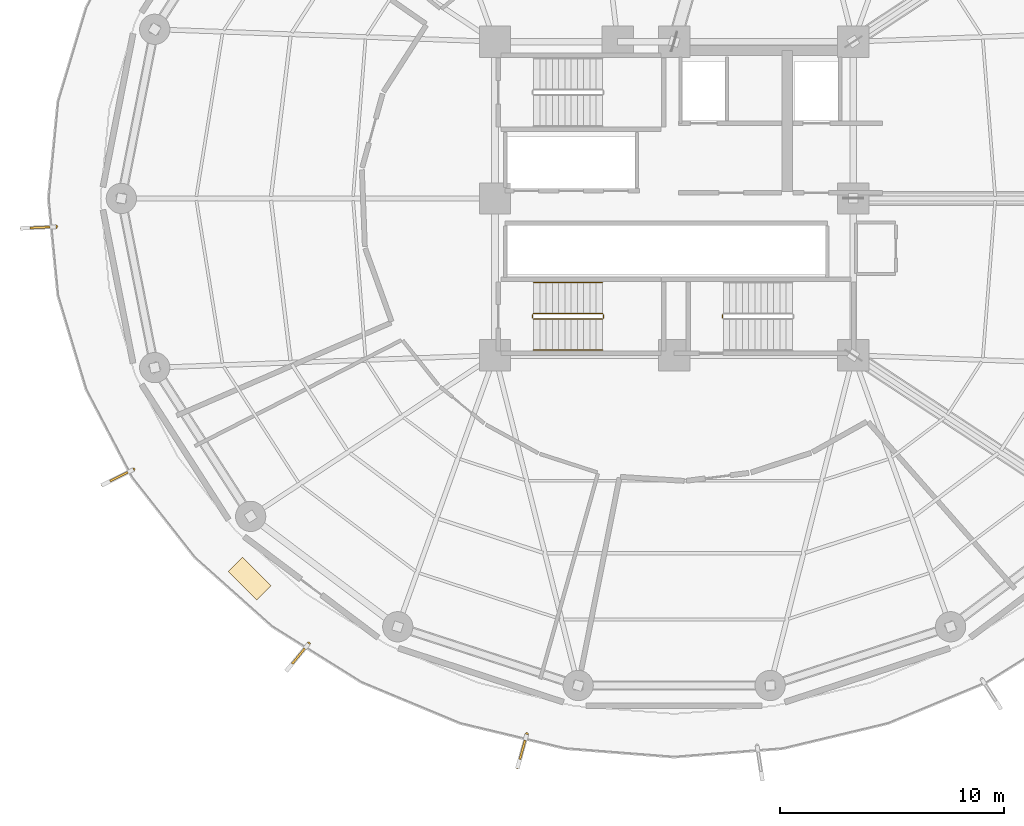
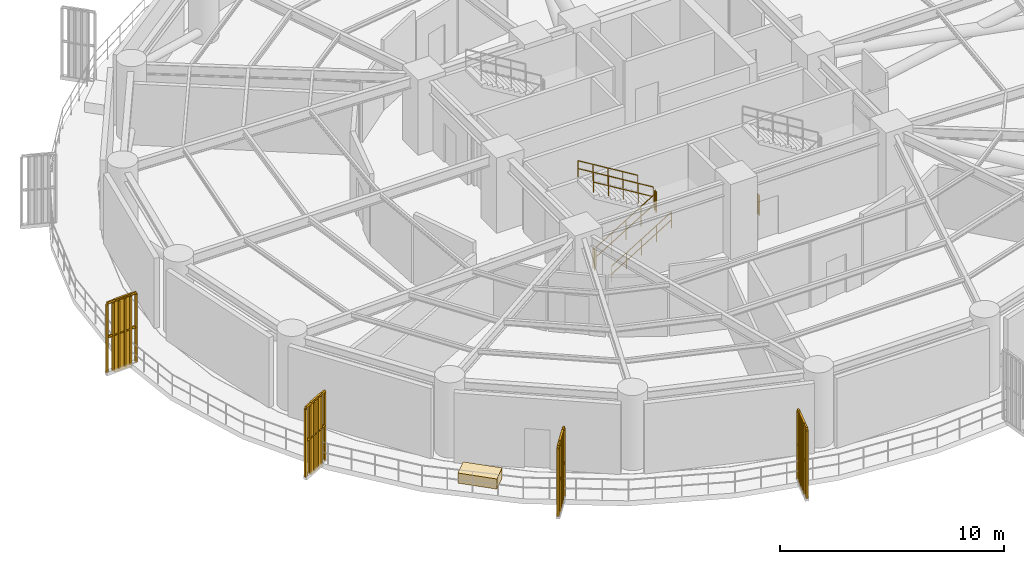
# One storey, part 7 of 10: 11 railings, 4 shading devices, 1 covering.
"""IFC4 building model written with IfcOpenShell, lengths in metres."""

from ifc_helpers import new_model, si_unit, direction, frame, origin, origin_2d, place, context, subcontext, project, spatial, polyline, rectangle, outline, extrude, source, transform, mapped, material, layer, layer_set, type_object, element, save


model = new_model("IFC4")

# Units and contexts
model_context = context("Model", 3, precision=1e-05, world=origin(), true_north=direction((0.0, 1.0)))
body_context = subcontext(model_context, "Body", "Model", "MODEL_VIEW")
ifc_project = project(units=[si_unit("LENGTHUNIT", "METRE"), si_unit("AREAUNIT", "SQUARE_METRE"), si_unit("VOLUMEUNIT", "CUBIC_METRE"), si_unit("PLANEANGLEUNIT", "RADIAN"), si_unit("MASSUNIT", "GRAM", prefix="KILO")], contexts=[model_context])

# Site, building, storey
site_placement = place(None, origin())
site = spatial("IfcSite", under=ifc_project, at=site_placement, CompositionType="ELEMENT")
building_placement = place(site_placement, origin())
building = spatial("IfcBuilding", under=site, at=building_placement, Name="Kelanora Arch Commons", CompositionType="ELEMENT")
storey_placement = place(building_placement, frame((0.0, 0.0, 72.260009765625)))
storey = spatial("IfcBuildingStorey", under=building, at=storey_placement, Name="L18", CompositionType="ELEMENT", Elevation=72.260009765625)

# Railings
ifc_material_1 = material(Name="Anodised bronze vertical shading fin rib assembly")
railing_type_1 = type_object("IfcRailingType", Name="RAIL-FIN-BRZ", PredefinedType="BALUSTRADE", material=ifc_material_1)
railing_1_placement = place(storey_placement, frame((46.40478515625, 56.7373046875, -0.02001953125)))
element("IfcRailing", 1, at=railing_1_placement, inside=storey, type_object=railing_type_1, Name="Sweeping Bronze Vertical Fin Blade L18-06", PredefinedType="BALUSTRADE", context=body_context, shape_type="SweptSolid", body=[
    extrude(outline(polyline([(0.06982421875, 0.0), (0.034912109375, 0.060546875), (-0.034912109375, 0.060546875), (-0.06982421875, 0.0), (-0.034912109375, -0.060546875), (0.034912109375, -0.060546875), (0.06982421875, 0.0)])), frame((0.0, 0.0, 3.76025390625), z_axis=(-0.998951031058, -0.045791238766, 0.0), x_axis=(0.045791238766, -0.998951031058, 0.0)), (0.0, 0.0, 1.0), 1.5302734375),
    extrude(outline(polyline([(0.06982421875, 0.0), (0.034912109375, 0.060546875), (-0.034912109375, 0.060546875), (-0.06982421875, 0.0), (-0.034912109375, -0.060546875), (0.034912109375, -0.060546875), (0.06982421875, 0.0)])), frame((0.0, 0.0, 1.9150390625), z_axis=(-0.998951031058, -0.045791238766, 0.0), x_axis=(0.045791238766, -0.998951031058, 0.0)), (0.0, 0.0, 1.0), 1.5302734375),
    extrude(outline(polyline([(0.080078125, 0.0), (0.0400390625, 0.0693359375), (-0.0400390625, 0.0693359375), (-0.080078125, 0.0), (-0.0400390625, -0.0693359375), (0.0400390625, -0.0693359375), (0.080078125, 0.0)])), origin(), (0.0, 0.0, 1.0), 3.690185546875),
    extrude(outline(polyline([(0.080078125, 0.0), (0.0400390625, 0.0693359375), (-0.0400390625, 0.0693359375), (-0.080078125, 0.0), (-0.0400390625, -0.0693359375), (0.0400390625, -0.0693359375), (0.080078125, 0.0)])), frame((-0.3056640625, -0.013916015625, 0.0)), (0.0, 0.0, 1.0), 3.690185546875),
    extrude(outline(polyline([(0.080078125, 0.0), (0.0400390625, 0.0693359375), (-0.0400390625, 0.0693359375), (-0.080078125, 0.0), (-0.0400390625, -0.0693359375), (0.0400390625, -0.0693359375), (0.080078125, 0.0)])), frame((-0.611328125, -0.028076171875, 0.0)), (0.0, 0.0, 1.0), 3.690185546875),
    extrude(outline(polyline([(0.080078125, 0.0), (0.0400390625, 0.0693359375), (-0.0400390625, 0.0693359375), (-0.080078125, 0.0), (-0.0400390625, -0.0693359375), (0.0400390625, -0.0693359375), (0.080078125, 0.0)])), frame((-0.917236328125, -0.0419921875, 0.0)), (0.0, 0.0, 1.0), 3.690185546875),
    extrude(outline(polyline([(0.080078125, 0.0), (0.0400390625, 0.0693359375), (-0.0400390625, 0.0693359375), (-0.080078125, 0.0), (-0.0400390625, -0.0693359375), (0.0400390625, -0.0693359375), (0.080078125, 0.0)])), frame((-1.222900390625, -0.05615234375, 0.0)), (0.0, 0.0, 1.0), 3.690185546875),
    extrude(outline(polyline([(0.080078125, 0.0), (0.0400390625, 0.0693359375), (-0.0400390625, 0.0693359375), (-0.080078125, 0.0), (-0.0400390625, -0.0693359375), (0.0400390625, -0.0693359375), (0.080078125, 0.0)])), frame((-1.528564453125, -0.070068359375, 0.0)), (0.0, 0.0, 1.0), 3.690185546875),
])
railing_2_placement = place(storey_placement, frame((49.858154296875, 45.900146484375, -0.02001953125)))
element("IfcRailing", 2, at=railing_2_placement, inside=storey, type_object=railing_type_1, Name="Sweeping Bronze Vertical Fin Blade L18-07", PredefinedType="BALUSTRADE", context=body_context, shape_type="SweptSolid", body=[
    extrude(outline(polyline([(0.06982421875, 0.0), (0.034912109375, 0.060546875), (-0.034912109375, 0.060546875), (-0.06982421875, 0.0), (-0.034912109375, -0.060546875), (0.034912109375, -0.060546875), (0.06982421875, 0.0)])), frame((0.0, 0.0, 3.76025390625), z_axis=(-0.893979914178, -0.448107033026, 0.0), x_axis=(0.448107033026, -0.893979914178, 0.0)), (0.0, 0.0, 1.0), 1.52978515625),
    extrude(outline(polyline([(0.06982421875, 0.0), (0.034912109375, 0.060546875), (-0.034912109375, 0.060546875), (-0.06982421875, 0.0), (-0.034912109375, -0.060546875), (0.034912109375, -0.060546875), (0.06982421875, 0.0)])), frame((0.0, 0.0, 1.9150390625), z_axis=(-0.893979914178, -0.448107033026, 0.0), x_axis=(0.448107033026, -0.893979914178, 0.0)), (0.0, 0.0, 1.0), 1.52978515625),
    extrude(outline(polyline([(0.080078125, 0.0), (0.0400390625, 0.0693359375), (-0.0400390625, 0.0693359375), (-0.080078125, 0.0), (-0.0400390625, -0.0693359375), (0.0400390625, -0.0693359375), (0.080078125, 0.0)])), origin(), (0.0, 0.0, 1.0), 3.690185546875),
    extrude(outline(polyline([(0.080078125, 0.0), (0.0400390625, 0.0693359375), (-0.0400390625, 0.0693359375), (-0.080078125, 0.0), (-0.0400390625, -0.0693359375), (0.0400390625, -0.0693359375), (0.080078125, 0.0)])), frame((-0.2734375, -0.13720703125, 0.0)), (0.0, 0.0, 1.0), 3.690185546875),
    extrude(outline(polyline([(0.080078125, 0.0), (0.0400390625, 0.0693359375), (-0.0400390625, 0.0693359375), (-0.080078125, 0.0), (-0.0400390625, -0.0693359375), (0.0400390625, -0.0693359375), (0.080078125, 0.0)])), frame((-0.547119140625, -0.274169921875, 0.0)), (0.0, 0.0, 1.0), 3.690185546875),
    extrude(outline(polyline([(0.080078125, 0.0), (0.0400390625, 0.0693359375), (-0.0400390625, 0.0693359375), (-0.080078125, 0.0), (-0.0400390625, -0.0693359375), (0.0400390625, -0.0693359375), (0.080078125, 0.0)])), frame((-0.820556640625, -0.411376953125, 0.0)), (0.0, 0.0, 1.0), 3.690185546875),
    extrude(outline(polyline([(0.080078125, 0.0), (0.0400390625, 0.0693359375), (-0.0400390625, 0.0693359375), (-0.080078125, 0.0), (-0.0400390625, -0.0693359375), (0.0400390625, -0.0693359375), (0.080078125, 0.0)])), frame((-1.09423828125, -0.54833984375, 0.0)), (0.0, 0.0, 1.0), 3.690185546875),
    extrude(outline(polyline([(0.080078125, 0.0), (0.0400390625, 0.0693359375), (-0.0400390625, 0.0693359375), (-0.080078125, 0.0), (-0.0400390625, -0.0693359375), (0.0400390625, -0.0693359375), (0.080078125, 0.0)])), frame((-1.36767578125, -0.685546875, 0.0)), (0.0, 0.0, 1.0), 3.690185546875),
])
railing_3_placement = place(storey_placement, frame((57.685302734375, 38.1240234375, -0.02001953125)))
element("IfcRailing", 3, at=railing_3_placement, inside=storey, type_object=railing_type_1, Name="Sweeping Bronze Vertical Fin Blade L18-08", PredefinedType="BALUSTRADE", context=body_context, shape_type="SweptSolid", body=[
    extrude(outline(polyline([(0.06982421875, 0.0), (0.034912109375, 0.060546875), (-0.034912109375, 0.060546875), (-0.06982421875, 0.0), (-0.034912109375, -0.060546875), (0.034912109375, -0.060546875), (0.06982421875, 0.0)])), frame((0.0, 0.0, 3.76025390625), z_axis=(-0.634453537934, -0.772961000441, 0.0), x_axis=(0.772961000441, -0.634453537934, 0.0)), (0.0, 0.0, 1.0), 1.530029296875),
    extrude(outline(polyline([(0.06982421875, 0.0), (0.034912109375, 0.060546875), (-0.034912109375, 0.060546875), (-0.06982421875, 0.0), (-0.034912109375, -0.060546875), (0.034912109375, -0.060546875), (0.06982421875, 0.0)])), frame((0.0, 0.0, 1.9150390625), z_axis=(-0.634453537934, -0.772961000441, 0.0), x_axis=(0.772961000441, -0.634453537934, 0.0)), (0.0, 0.0, 1.0), 1.530029296875),
    extrude(outline(polyline([(0.080078125, 0.0), (0.0400390625, 0.0693359375), (-0.0400390625, 0.0693359375), (-0.080078125, 0.0), (-0.0400390625, -0.0693359375), (0.0400390625, -0.0693359375), (0.080078125, 0.0)])), origin(), (0.0, 0.0, 1.0), 3.690185546875),
    extrude(outline(polyline([(0.080078125, 0.0), (0.0400390625, 0.0693359375), (-0.0400390625, 0.0693359375), (-0.080078125, 0.0), (-0.0400390625, -0.0693359375), (0.0400390625, -0.0693359375), (0.080078125, 0.0)])), frame((-0.194091796875, -0.236572265625, 0.0)), (0.0, 0.0, 1.0), 3.690185546875),
    extrude(outline(polyline([(0.080078125, 0.0), (0.0400390625, 0.0693359375), (-0.0400390625, 0.0693359375), (-0.080078125, 0.0), (-0.0400390625, -0.0693359375), (0.0400390625, -0.0693359375), (0.080078125, 0.0)])), frame((-0.38818359375, -0.47314453125, 0.0)), (0.0, 0.0, 1.0), 3.690185546875),
    extrude(outline(polyline([(0.080078125, 0.0), (0.0400390625, 0.0693359375), (-0.0400390625, 0.0693359375), (-0.080078125, 0.0), (-0.0400390625, -0.0693359375), (0.0400390625, -0.0693359375), (0.080078125, 0.0)])), frame((-0.58251953125, -0.70947265625, 0.0)), (0.0, 0.0, 1.0), 3.690185546875),
    extrude(outline(polyline([(0.080078125, 0.0), (0.0400390625, 0.0693359375), (-0.0400390625, 0.0693359375), (-0.080078125, 0.0), (-0.0400390625, -0.0693359375), (0.0400390625, -0.0693359375), (0.080078125, 0.0)])), frame((-0.776611328125, -0.946044921875, 0.0)), (0.0, 0.0, 1.0), 3.690185546875),
    extrude(outline(polyline([(0.080078125, 0.0), (0.0400390625, 0.0693359375), (-0.0400390625, 0.0693359375), (-0.080078125, 0.0), (-0.0400390625, -0.0693359375), (0.0400390625, -0.0693359375), (0.080078125, 0.0)])), frame((-0.970703125, -1.1826171875, 0.0)), (0.0, 0.0, 1.0), 3.690185546875),
])
railing_4_placement = place(storey_placement, frame((67.419921875, 34.07861328125, -0.02001953125)))
element("IfcRailing", 4, at=railing_4_placement, inside=storey, type_object=railing_type_1, Name="Sweeping Bronze Vertical Fin Blade L18-09", PredefinedType="BALUSTRADE", context=body_context, shape_type="SweptSolid", body=[
    extrude(outline(polyline([(0.06982421875, 0.0), (0.034912109375, 0.060546875), (-0.034912109375, 0.060546875), (-0.06982421875, 0.0), (-0.034912109375, -0.060546875), (0.034912109375, -0.060546875), (0.06982421875, 0.0)])), frame((0.0, 0.0, 3.76025390625), z_axis=(-0.265182442101, -0.964198253681, 0.0), x_axis=(0.964198253681, -0.265182442101, 0.0)), (0.0, 0.0, 1.0), 1.530029296875),
    extrude(outline(polyline([(0.06982421875, 0.0), (0.034912109375, 0.060546875), (-0.034912109375, 0.060546875), (-0.06982421875, 0.0), (-0.034912109375, -0.060546875), (0.034912109375, -0.060546875), (0.06982421875, 0.0)])), frame((0.0, 0.0, 1.9150390625), z_axis=(-0.265182442101, -0.964198253681, 0.0), x_axis=(0.964198253681, -0.265182442101, 0.0)), (0.0, 0.0, 1.0), 1.530029296875),
    extrude(outline(polyline([(0.080078125, 0.0), (0.0400390625, 0.0693359375), (-0.0400390625, 0.0693359375), (-0.080078125, 0.0), (-0.0400390625, -0.0693359375), (0.0400390625, -0.0693359375), (0.080078125, 0.0)])), origin(), (0.0, 0.0, 1.0), 3.690185546875),
    extrude(outline(polyline([(0.080078125, 0.0), (0.0400390625, 0.0693359375), (-0.0400390625, 0.0693359375), (-0.080078125, 0.0), (-0.0400390625, -0.0693359375), (0.0400390625, -0.0693359375), (0.080078125, 0.0)])), frame((-0.0810546875, -0.295166015625, 0.0)), (0.0, 0.0, 1.0), 3.690185546875),
    extrude(outline(polyline([(0.080078125, 0.0), (0.0400390625, 0.0693359375), (-0.0400390625, 0.0693359375), (-0.080078125, 0.0), (-0.0400390625, -0.0693359375), (0.0400390625, -0.0693359375), (0.080078125, 0.0)])), frame((-0.162353515625, -0.590087890625, 0.0)), (0.0, 0.0, 1.0), 3.690185546875),
    extrude(outline(polyline([(0.080078125, 0.0), (0.0400390625, 0.0693359375), (-0.0400390625, 0.0693359375), (-0.080078125, 0.0), (-0.0400390625, -0.0693359375), (0.0400390625, -0.0693359375), (0.080078125, 0.0)])), frame((-0.243408203125, -0.88525390625, 0.0)), (0.0, 0.0, 1.0), 3.690185546875),
    extrude(outline(polyline([(0.080078125, 0.0), (0.0400390625, 0.0693359375), (-0.0400390625, 0.0693359375), (-0.080078125, 0.0), (-0.0400390625, -0.0693359375), (0.0400390625, -0.0693359375), (0.080078125, 0.0)])), frame((-0.32470703125, -1.18017578125, 0.0)), (0.0, 0.0, 1.0), 3.690185546875),
    extrude(outline(polyline([(0.080078125, 0.0), (0.0400390625, 0.0693359375), (-0.0400390625, 0.0693359375), (-0.080078125, 0.0), (-0.0400390625, -0.0693359375), (0.0400390625, -0.0693359375), (0.080078125, 0.0)])), frame((-0.40576171875, -1.475341796875, 0.0)), (0.0, 0.0, 1.0), 3.690185546875),
])
ifc_material_2 = material(Name="Painted steel stair well guard", Category="steel")
railing_type_2 = type_object("IfcRailingType", Name="RAIL-STAIR-GRD", PredefinedType="GUARDRAIL", material=ifc_material_2)
railing_5_placement = place(storey_placement, frame((76.14990234375, 52.659912109375, 0.0)))
element("IfcRailing", 5, at=railing_5_placement, inside=storey, type_object=railing_type_2, Name="L18 ST-T2 stair guard 4", PredefinedType="GUARDRAIL", context=body_context, shape_type="SweptSolid", body=[
    extrude(outline(polyline([(0.02392578125, 0.0), (0.011962890625, 0.020751953125), (-0.011962890625, 0.020751953125), (-0.02392578125, 0.0), (-0.011962890625, -0.020751953125), (0.011962890625, -0.020751953125), (0.02392578125, 0.0)])), frame((0.0, 0.0, 1.076171875), z_axis=(0.0, 1.0, 0.0), x_axis=(-1.0, 0.0, 0.0)), (0.0, 0.0, 1.0), 0.150146484375),
    extrude(outline(polyline([(0.02392578125, 0.0), (0.011962890625, 0.020751953125), (-0.011962890625, 0.020751953125), (-0.02392578125, 0.0), (-0.011962890625, -0.020751953125), (0.011962890625, -0.020751953125), (0.02392578125, 0.0)])), frame((0.0, 0.0, 0.550048828125), z_axis=(0.0, 1.0, 0.0), x_axis=(-1.0, 0.0, 0.0)), (0.0, 0.0, 1.0), 0.150146484375),
    extrude(outline(polyline([(0.02099609375, 0.0), (0.010498046875, 0.01806640625), (-0.010498046875, 0.01806640625), (-0.02099609375, 0.0), (-0.010498046875, -0.01806640625), (0.010498046875, -0.01806640625), (0.02099609375, 0.0)])), origin(), (0.0, 0.0, 1.0), 1.052001953125),
    extrude(outline(polyline([(0.02099609375, 0.0), (0.010498046875, 0.01806640625), (-0.010498046875, 0.01806640625), (-0.02099609375, 0.0), (-0.010498046875, -0.01806640625), (0.010498046875, -0.01806640625), (0.02099609375, 0.0)])), frame((0.0, 0.150146484375, 0.0)), (0.0, 0.0, 1.0), 1.052001953125),
])
railing_6_placement = place(storey_placement, frame((67.719970703125, 52.610107421875, 0.17041015625)))
element("IfcRailing", 6, at=railing_6_placement, inside=storey, type_object=railing_type_2, Name="L18 ST-T3 stair guard 1", PredefinedType="GUARDRAIL", context=body_context, shape_type="SweptSolid", body=[
    extrude(outline(polyline([(0.02392578125, 0.0), (0.011962890625, 0.020751953125), (-0.011962890625, 0.020751953125), (-0.02392578125, 0.0), (-0.011962890625, -0.020751953125), (0.011962890625, -0.020751953125), (0.02392578125, 0.0)])), frame((0.0, 0.0, 1.076171875), z_axis=(0.854237778674, 0.0, 0.51988250354), x_axis=(0.0, 1.0, 0.0)), (0.0, 0.0, 1.0), 3.605712890625),
    extrude(outline(polyline([(0.02392578125, 0.0), (0.011962890625, 0.020751953125), (-0.011962890625, 0.020751953125), (-0.02392578125, 0.0), (-0.011962890625, -0.020751953125), (0.011962890625, -0.020751953125), (0.02392578125, 0.0)])), frame((0.0, 0.0, 0.550048828125), z_axis=(0.854237778674, 0.0, 0.51988250354), x_axis=(0.0, 1.0, 0.0)), (0.0, 0.0, 1.0), 3.605712890625),
    extrude(outline(polyline([(0.02099609375, 0.0), (0.010498046875, 0.01806640625), (-0.010498046875, 0.01806640625), (-0.02099609375, 0.0), (-0.010498046875, -0.01806640625), (0.010498046875, -0.01806640625), (0.02099609375, 0.0)])), origin(), (0.0, 0.0, 1.0), 1.052001953125),
    extrude(outline(polyline([(0.02099609375, 0.0), (0.010498046875, 0.01806640625), (-0.010498046875, 0.01806640625), (-0.02099609375, 0.0), (-0.010498046875, -0.01806640625), (0.010498046875, -0.01806640625), (0.02099609375, 0.0)])), frame((0.77001953125, 0.0, 0.46875)), (0.0, 0.0, 1.0), 1.052001953125),
    extrude(outline(polyline([(0.02099609375, 0.0), (0.010498046875, 0.01806640625), (-0.010498046875, 0.01806640625), (-0.02099609375, 0.0), (-0.010498046875, -0.01806640625), (0.010498046875, -0.01806640625), (0.02099609375, 0.0)])), frame((1.5400390625, 0.0, 0.937255859375)), (0.0, 0.0, 1.0), 1.052001953125),
    extrude(outline(polyline([(0.02099609375, 0.0), (0.010498046875, 0.01806640625), (-0.010498046875, 0.01806640625), (-0.02099609375, 0.0), (-0.010498046875, -0.01806640625), (0.010498046875, -0.01806640625), (0.02099609375, 0.0)])), frame((2.31005859375, 0.0, 1.40576171875)), (0.0, 0.0, 1.0), 1.052001953125),
    extrude(outline(polyline([(0.02099609375, 0.0), (0.010498046875, 0.01806640625), (-0.010498046875, 0.01806640625), (-0.02099609375, 0.0), (-0.010498046875, -0.01806640625), (0.010498046875, -0.01806640625), (0.02099609375, 0.0)])), frame((3.080078125, 0.0, 1.87451171875)), (0.0, 0.0, 1.0), 1.052001953125),
])
railing_7_placement = place(storey_placement, frame((70.85009765625, 52.659912109375, 2.044921875)))
element("IfcRailing", 7, at=railing_7_placement, inside=storey, type_object=railing_type_2, Name="L18 ST-T3 stair guard 2", PredefinedType="GUARDRAIL", context=body_context, shape_type="SweptSolid", body=[
    extrude(outline(polyline([(0.02392578125, 0.0), (0.011962890625, 0.020751953125), (-0.011962890625, 0.020751953125), (-0.02392578125, 0.0), (-0.011962890625, -0.020751953125), (0.011962890625, -0.020751953125), (0.02392578125, 0.0)])), frame((0.0, 0.0, 1.076171875), z_axis=(0.0, 1.0, 0.0), x_axis=(-1.0, 0.0, 0.0)), (0.0, 0.0, 1.0), 0.150146484375),
    extrude(outline(polyline([(0.02392578125, 0.0), (0.011962890625, 0.020751953125), (-0.011962890625, 0.020751953125), (-0.02392578125, 0.0), (-0.011962890625, -0.020751953125), (0.011962890625, -0.020751953125), (0.02392578125, 0.0)])), frame((0.0, 0.0, 0.550048828125), z_axis=(0.0, 1.0, 0.0), x_axis=(-1.0, 0.0, 0.0)), (0.0, 0.0, 1.0), 0.150146484375),
    extrude(outline(polyline([(0.02099609375, 0.0), (0.010498046875, 0.01806640625), (-0.010498046875, 0.01806640625), (-0.02099609375, 0.0), (-0.010498046875, -0.01806640625), (0.010498046875, -0.01806640625), (0.02099609375, 0.0)])), origin(), (0.0, 0.0, 1.0), 1.052001953125),
    extrude(outline(polyline([(0.02099609375, 0.0), (0.010498046875, 0.01806640625), (-0.010498046875, 0.01806640625), (-0.02099609375, 0.0), (-0.010498046875, -0.01806640625), (0.010498046875, -0.01806640625), (0.02099609375, 0.0)])), frame((0.0, 0.150146484375, 0.0)), (0.0, 0.0, 1.0), 1.052001953125),
])
railing_8_placement = place(storey_placement, frame((70.800048828125, 52.860107421875, 2.21533203125)))
element("IfcRailing", 8, at=railing_8_placement, inside=storey, type_object=railing_type_2, Name="L18 ST-T3 stair guard 3", PredefinedType="GUARDRAIL", context=body_context, shape_type="SweptSolid", body=[
    extrude(outline(polyline([(0.02392578125, 0.0), (0.011962890625, 0.020751953125), (-0.011962890625, 0.020751953125), (-0.02392578125, 0.0), (-0.011962890625, -0.020751953125), (0.011962890625, -0.020751953125), (0.02392578125, 0.0)])), frame((0.0, 0.0, 1.076171875), z_axis=(-0.854207707774, 0.0, 0.519931910907), x_axis=(0.0, -1.0, 0.0)), (0.0, 0.0, 1.0), 3.605712890625),
    extrude(outline(polyline([(0.02392578125, 0.0), (0.011962890625, 0.020751953125), (-0.011962890625, 0.020751953125), (-0.02392578125, 0.0), (-0.011962890625, -0.020751953125), (0.011962890625, -0.020751953125), (0.02392578125, 0.0)])), frame((0.0, 0.0, 0.550048828125), z_axis=(-0.854207707774, 0.0, 0.519931910907), x_axis=(0.0, -1.0, 0.0)), (0.0, 0.0, 1.0), 3.605712890625),
    extrude(outline(polyline([(0.02099609375, 0.0), (0.010498046875, 0.01806640625), (-0.010498046875, 0.01806640625), (-0.02099609375, 0.0), (-0.010498046875, -0.01806640625), (0.010498046875, -0.01806640625), (0.02099609375, 0.0)])), origin(), (0.0, 0.0, 1.0), 1.052001953125),
    extrude(outline(polyline([(0.02099609375, 0.0), (0.010498046875, 0.01806640625), (-0.010498046875, 0.01806640625), (-0.02099609375, 0.0), (-0.010498046875, -0.01806640625), (0.010498046875, -0.01806640625), (0.02099609375, 0.0)])), frame((-0.77001953125, 0.0, 0.46875)), (0.0, 0.0, 1.0), 1.052001953125),
    extrude(outline(polyline([(0.02099609375, 0.0), (0.010498046875, 0.01806640625), (-0.010498046875, 0.01806640625), (-0.02099609375, 0.0), (-0.010498046875, -0.01806640625), (0.010498046875, -0.01806640625), (0.02099609375, 0.0)])), frame((-1.5400390625, 0.0, 0.9375)), (0.0, 0.0, 1.0), 1.052001953125),
    extrude(outline(polyline([(0.02099609375, 0.0), (0.010498046875, 0.01806640625), (-0.010498046875, 0.01806640625), (-0.02099609375, 0.0), (-0.010498046875, -0.01806640625), (0.010498046875, -0.01806640625), (0.02099609375, 0.0)])), frame((-2.31005859375, 0.0, 1.406005859375)), (0.0, 0.0, 1.0), 1.052001953125),
    extrude(outline(polyline([(0.02099609375, 0.0), (0.010498046875, 0.01806640625), (-0.010498046875, 0.01806640625), (-0.02099609375, 0.0), (-0.010498046875, -0.01806640625), (0.010498046875, -0.01806640625), (0.02099609375, 0.0)])), frame((-3.080078125, 0.0, 1.874755859375)), (0.0, 0.0, 1.0), 1.052001953125),
])
railing_9_placement = place(storey_placement, frame((67.669921875, 52.659912109375, 0.0)))
element("IfcRailing", 9, at=railing_9_placement, inside=storey, type_object=railing_type_2, Name="L18 ST-T3 stair guard 4", PredefinedType="GUARDRAIL", context=body_context, shape_type="SweptSolid", body=[
    extrude(outline(polyline([(0.02392578125, 0.0), (0.011962890625, 0.020751953125), (-0.011962890625, 0.020751953125), (-0.02392578125, 0.0), (-0.011962890625, -0.020751953125), (0.011962890625, -0.020751953125), (0.02392578125, 0.0)])), frame((0.0, 0.0, 1.076171875), z_axis=(0.0, 1.0, 0.0), x_axis=(-1.0, 0.0, 0.0)), (0.0, 0.0, 1.0), 0.150146484375),
    extrude(outline(polyline([(0.02392578125, 0.0), (0.011962890625, 0.020751953125), (-0.011962890625, 0.020751953125), (-0.02392578125, 0.0), (-0.011962890625, -0.020751953125), (0.011962890625, -0.020751953125), (0.02392578125, 0.0)])), frame((0.0, 0.0, 0.550048828125), z_axis=(0.0, 1.0, 0.0), x_axis=(-1.0, 0.0, 0.0)), (0.0, 0.0, 1.0), 0.150146484375),
    extrude(outline(polyline([(0.02099609375, 0.0), (0.010498046875, 0.01806640625), (-0.010498046875, 0.01806640625), (-0.02099609375, 0.0), (-0.010498046875, -0.01806640625), (0.010498046875, -0.01806640625), (0.02099609375, 0.0)])), origin(), (0.0, 0.0, 1.0), 1.052001953125),
    extrude(outline(polyline([(0.02099609375, 0.0), (0.010498046875, 0.01806640625), (-0.010498046875, 0.01806640625), (-0.02099609375, 0.0), (-0.010498046875, -0.01806640625), (0.010498046875, -0.01806640625), (0.02099609375, 0.0)])), frame((0.0, 0.150146484375, 0.0)), (0.0, 0.0, 1.0), 1.052001953125),
])
ifc_material_3 = material(Name="Brushed stainless steel stair handrail", Category="steel")
railing_type_3 = type_object("IfcRailingType", Name="RAIL-STAIR-HND", PredefinedType="HANDRAIL", material=ifc_material_3)
railing_10_placement = place(storey_placement, frame((67.719970703125, 51.22998046875, 0.17041015625)))
element("IfcRailing", 10, at=railing_10_placement, inside=storey, type_object=railing_type_3, Name="L18 ST-T3 stair handrail 1", PredefinedType="HANDRAIL", context=body_context, shape_type="SweptSolid", body=[
    extrude(outline(polyline([(0.02392578125, 0.0), (0.011962890625, 0.020751953125), (-0.011962890625, 0.020751953125), (-0.02392578125, 0.0), (-0.011962890625, -0.020751953125), (0.011962890625, -0.020751953125), (0.02392578125, 0.0)])), frame((0.0, 0.0, 0.8759765625), z_axis=(0.854237778674, 0.0, 0.51988250354), x_axis=(0.0, 1.0, 0.0)), (0.0, 0.0, 1.0), 3.605712890625),
    extrude(outline(polyline([(0.02392578125, 0.0), (0.011962890625, 0.020751953125), (-0.011962890625, 0.020751953125), (-0.02392578125, 0.0), (-0.011962890625, -0.020751953125), (0.011962890625, -0.020751953125), (0.02392578125, 0.0)])), frame((0.0, 0.0, 0.449951171875), z_axis=(0.854237778674, 0.0, 0.51988250354), x_axis=(0.0, 1.0, 0.0)), (0.0, 0.0, 1.0), 3.605712890625),
    extrude(outline(polyline([(0.02099609375, 0.0), (0.010498046875, 0.01806640625), (-0.010498046875, 0.01806640625), (-0.02099609375, 0.0), (-0.010498046875, -0.01806640625), (0.010498046875, -0.01806640625), (0.02099609375, 0.0)])), origin(), (0.0, 0.0, 1.0), 0.851806640625),
    extrude(outline(polyline([(0.02099609375, 0.0), (0.010498046875, 0.01806640625), (-0.010498046875, 0.01806640625), (-0.02099609375, 0.0), (-0.010498046875, -0.01806640625), (0.010498046875, -0.01806640625), (0.02099609375, 0.0)])), frame((0.77001953125, 0.0, 0.46875)), (0.0, 0.0, 1.0), 0.851806640625),
    extrude(outline(polyline([(0.02099609375, 0.0), (0.010498046875, 0.01806640625), (-0.010498046875, 0.01806640625), (-0.02099609375, 0.0), (-0.010498046875, -0.01806640625), (0.010498046875, -0.01806640625), (0.02099609375, 0.0)])), frame((1.5400390625, 0.0, 0.937255859375)), (0.0, 0.0, 1.0), 0.851806640625),
    extrude(outline(polyline([(0.02099609375, 0.0), (0.010498046875, 0.01806640625), (-0.010498046875, 0.01806640625), (-0.02099609375, 0.0), (-0.010498046875, -0.01806640625), (0.010498046875, -0.01806640625), (0.02099609375, 0.0)])), frame((2.31005859375, 0.0, 1.40576171875)), (0.0, 0.0, 1.0), 0.851806640625),
    extrude(outline(polyline([(0.02099609375, 0.0), (0.010498046875, 0.01806640625), (-0.010498046875, 0.01806640625), (-0.02099609375, 0.0), (-0.010498046875, -0.01806640625), (0.010498046875, -0.01806640625), (0.02099609375, 0.0)])), frame((3.080078125, 0.0, 1.87451171875)), (0.0, 0.0, 1.0), 0.851806640625),
])
railing_11_placement = place(storey_placement, frame((70.800048828125, 54.239990234375, 2.21533203125)))
element("IfcRailing", 11, at=railing_11_placement, inside=storey, type_object=railing_type_3, Name="L18 ST-T3 stair handrail 2", PredefinedType="HANDRAIL", context=body_context, shape_type="SweptSolid", body=[
    extrude(outline(polyline([(0.02392578125, 0.0), (0.011962890625, 0.020751953125), (-0.011962890625, 0.020751953125), (-0.02392578125, 0.0), (-0.011962890625, -0.020751953125), (0.011962890625, -0.020751953125), (0.02392578125, 0.0)])), frame((0.0, 0.0, 0.8759765625), z_axis=(-0.854207707774, 0.0, 0.519931910907), x_axis=(0.0, -1.0, 0.0)), (0.0, 0.0, 1.0), 3.605712890625),
    extrude(outline(polyline([(0.02392578125, 0.0), (0.011962890625, 0.020751953125), (-0.011962890625, 0.020751953125), (-0.02392578125, 0.0), (-0.011962890625, -0.020751953125), (0.011962890625, -0.020751953125), (0.02392578125, 0.0)])), frame((0.0, 0.0, 0.449951171875), z_axis=(-0.854207707774, 0.0, 0.519931910907), x_axis=(0.0, -1.0, 0.0)), (0.0, 0.0, 1.0), 3.605712890625),
    extrude(outline(polyline([(0.02099609375, 0.0), (0.010498046875, 0.01806640625), (-0.010498046875, 0.01806640625), (-0.02099609375, 0.0), (-0.010498046875, -0.01806640625), (0.010498046875, -0.01806640625), (0.02099609375, 0.0)])), origin(), (0.0, 0.0, 1.0), 0.851806640625),
    extrude(outline(polyline([(0.02099609375, 0.0), (0.010498046875, 0.01806640625), (-0.010498046875, 0.01806640625), (-0.02099609375, 0.0), (-0.010498046875, -0.01806640625), (0.010498046875, -0.01806640625), (0.02099609375, 0.0)])), frame((-0.77001953125, 0.0, 0.46875)), (0.0, 0.0, 1.0), 0.851806640625),
    extrude(outline(polyline([(0.02099609375, 0.0), (0.010498046875, 0.01806640625), (-0.010498046875, 0.01806640625), (-0.02099609375, 0.0), (-0.010498046875, -0.01806640625), (0.010498046875, -0.01806640625), (0.02099609375, 0.0)])), frame((-1.5400390625, 0.0, 0.9375)), (0.0, 0.0, 1.0), 0.851806640625),
    extrude(outline(polyline([(0.02099609375, 0.0), (0.010498046875, 0.01806640625), (-0.010498046875, 0.01806640625), (-0.02099609375, 0.0), (-0.010498046875, -0.01806640625), (0.010498046875, -0.01806640625), (0.02099609375, 0.0)])), frame((-2.31005859375, 0.0, 1.406005859375)), (0.0, 0.0, 1.0), 0.851806640625),
    extrude(outline(polyline([(0.02099609375, 0.0), (0.010498046875, 0.01806640625), (-0.010498046875, 0.01806640625), (-0.02099609375, 0.0), (-0.010498046875, -0.01806640625), (0.010498046875, -0.01806640625), (0.02099609375, 0.0)])), frame((-3.080078125, 0.0, 1.874755859375)), (0.0, 0.0, 1.0), 0.851806640625),
])

# Covering
ifc_material_4 = material(Name="Architectural terracotta planter bed with planting soil", Category="masonry")
ifc_layer = layer(ifc_material_4, 0.550048828125)
ifc_layer_set = layer_set([ifc_layer], Name="Architectural terracotta planter bed with planting soil")
covering_type = type_object("IfcCoveringType", Name="COV-PLANTER", PredefinedType="USERDEFINED", material=ifc_layer_set)
shared_shape_1 = source(origin(), body_context, "Body", "SweptSolid", [
    extrude(rectangle(XDim=1.800048828125, YDim=0.89990234375, at=origin_2d()), origin(), (0.0, 0.0, 1.0), 0.550048828125),
])
covering_placement = place(storey_placement, frame((55.049560546875, 41.029296875, 0.0), z_axis=(0.0, 0.0, 1.0), x_axis=(0.707106781187, -0.707106781187, 0.0)))
element("IfcCovering", 12, at=covering_placement, inside=storey, type_object=covering_type, Name="Sky-Terrace Planter L18-3", ObjectType="PLANTER", PredefinedType="USERDEFINED", context=body_context, shape_type="MappedRepresentation", body=[
    mapped(shared_shape_1, transform((0.0, 0.0, 0.0), scale=1.0)),
])

# Shading devices
ifc_material_5 = material(Name="Terracotta ceramic-clad extruded aluminium fin", Category="masonry")
shading_device_type = type_object("IfcShadingDeviceType", Name="SHD-FIN-FLARE", PredefinedType="USERDEFINED", material=ifc_material_5)
shared_shape_2 = source(origin(), body_context, "Body", "SweptSolid", [
    extrude(rectangle(XDim=0.8798828125, YDim=0.090087890625, at=origin_2d()), origin(), (0.0, 0.0, 1.0), 3.949951171875),
])
for number, where, z_axis, x_axis, name in (
    (13, (45.685546875, 56.704345703125, -0.14013671875), (0.0, 0.0, 1.0), (-0.99895467426, -0.04571169187, 0.0), "Sweeping Terracotta Fin L18-06"),
    (14, (49.214599609375, 45.577392578125, -0.14013671875), (0.0, 0.0, 1.0), (-0.893997884961, -0.448071179262, 0.0), "Sweeping Terracotta Fin L18-07"),
    (15, (57.228515625, 37.5673828125, -0.14013671875), (0.0, 0.0, 1.0), (-0.634460739636, -0.772955089162, 0.0), "Sweeping Terracotta Fin L18-08"),
    (16, (67.22900390625, 33.38427734375, -0.14013671875), (0.0, 0.0, 1.0), (-0.265219568533, -0.964188042068, 0.0), "Sweeping Terracotta Fin L18-09"),
):
    element("IfcShadingDevice", number, at=place(storey_placement, frame(where, z_axis=z_axis, x_axis=x_axis)), inside=storey, type_object=shading_device_type, Name=name, ObjectType="FIN", PredefinedType="USERDEFINED", context=body_context, shape_type="MappedRepresentation", body=[
        mapped(shared_shape_2, transform((0.0, 0.0, 0.0), scale=1.0)),
    ])

save(model, "model.ifc")
